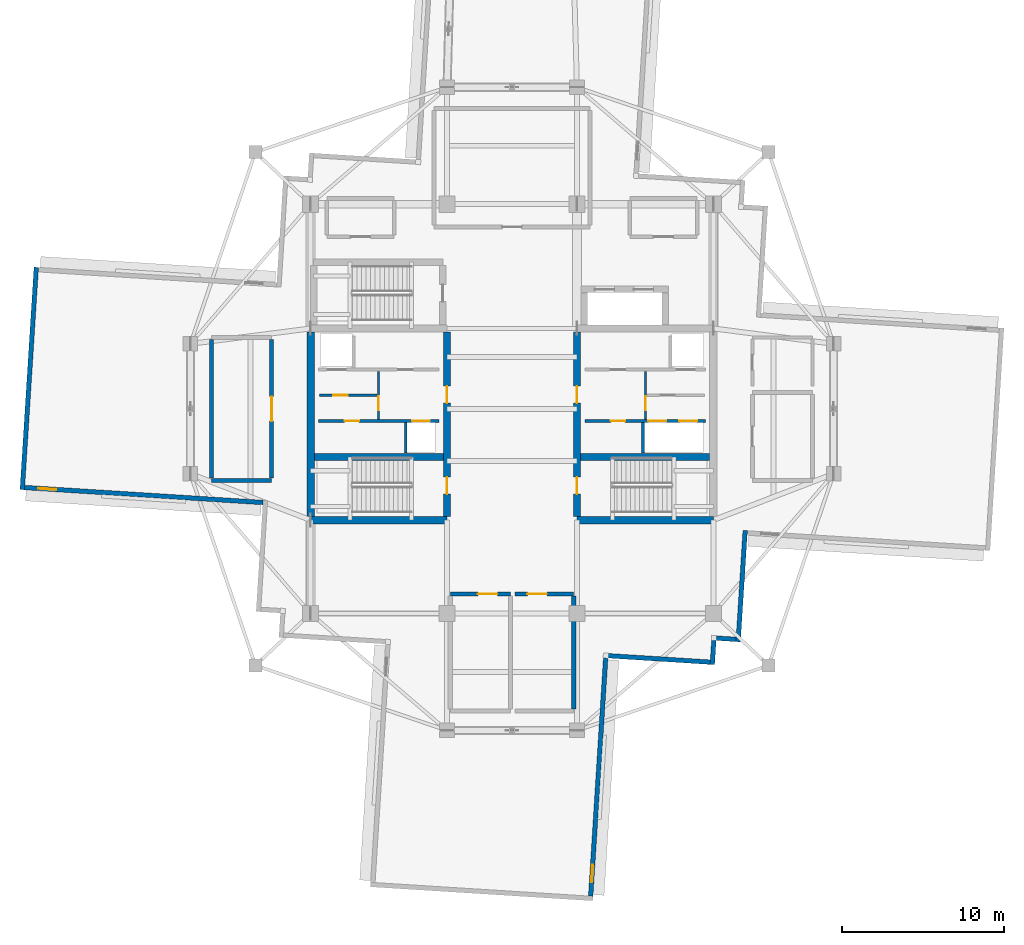
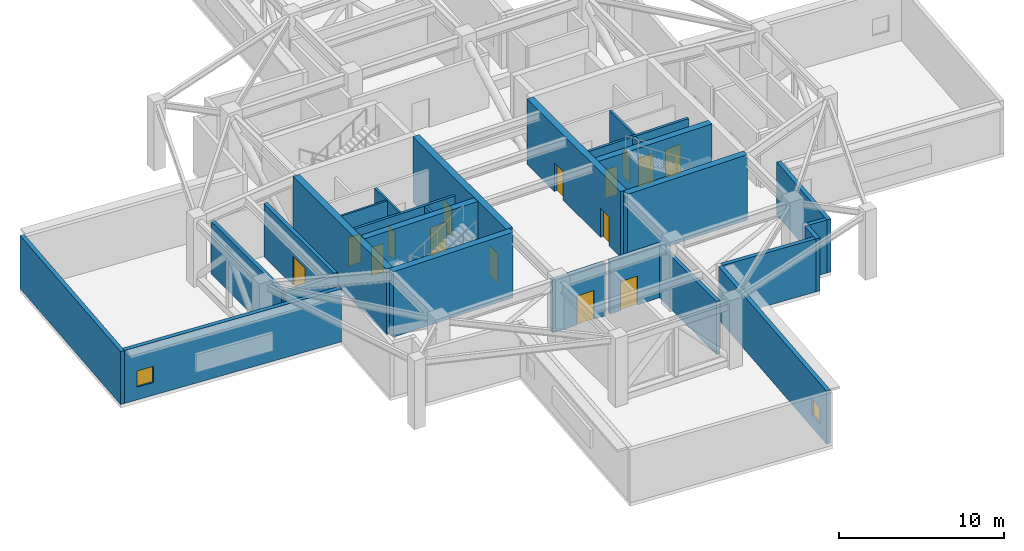
# One storey, part 8 of 14: 27 walls, 15 doors, 2 windows, 17 openings.
"""IFC4 building model written with IfcOpenShell, lengths in metres."""

from ifc_helpers import new_model, si_unit, direction, frame, frame_2d, origin, place, context, subcontext, project, spatial, rectangle, extrude, material, layer, layer_set, type_object, element, fill, save


model = new_model("IFC4")

# Units and contexts
model_context = context("Model", 3, precision=1e-05, world=origin(), true_north=direction((0.0, 1.0)))
body_context = subcontext(model_context, "Body", "Model", "MODEL_VIEW")
ifc_project = project(units=[si_unit("LENGTHUNIT", "METRE"), si_unit("AREAUNIT", "SQUARE_METRE"), si_unit("VOLUMEUNIT", "CUBIC_METRE"), si_unit("PLANEANGLEUNIT", "RADIAN"), si_unit("MASSUNIT", "GRAM", prefix="KILO")], contexts=[model_context])

# Site, building, storey
site_placement = place(None, origin())
site = spatial("IfcSite", under=ifc_project, at=site_placement, CompositionType="ELEMENT")
building_placement = place(site_placement, origin())
building = spatial("IfcBuilding", under=site, at=building_placement, Name="Qingluan Cross Belvedere", CompositionType="ELEMENT")
storey_placement = place(building_placement, frame((0.0, 0.0, 240.300048828125)))
storey = spatial("IfcBuildingStorey", under=building, at=storey_placement, Name="L60", CompositionType="ELEMENT", Elevation=240.300048828125)

# Walls
ifc_material_1 = material(Name="Concrete C50", Category="concrete")
ifc_layer_1 = layer(ifc_material_1, 0.449951171875, Name="CoreShearWall_450")
ifc_layer_set_1 = layer_set([ifc_layer_1], Name="Concrete C50")
wall_type_1 = type_object("IfcWallType", Name="CoreShearWall_450", PredefinedType="SHEAR", material=ifc_layer_set_1)
wall_1_placement = place(storey_placement, frame((-12.39990234375, -6.85009765625, 0.0), z_axis=(0.0, 0.0, 1.0), x_axis=(1.0, 0.0, 0.0)))
element("IfcWall", 1, at=wall_1_placement, inside=storey, type_object=wall_type_1, Name="Split core W shear wall L60-S", PredefinedType="SHEAR", context=body_context, shape_type="SweptSolid", body=[
    extrude(rectangle(XDim=8.39990234375, YDim=0.449951171875, at=frame_2d((4.199951171875, 0.0))), origin(), (0.0, 0.0, 1.0), 4.849853515625),
])
wall_2_placement = place(storey_placement, frame((-12.39990234375, -6.6201171875, 0.0), z_axis=(0.0, 0.0, 1.0), x_axis=(0.0, 1.0, 0.0)))
element("IfcWall", 2, at=wall_2_placement, inside=storey, type_object=wall_type_1, Name="Split core W shear wall L60-W", PredefinedType="SHEAR", context=body_context, shape_type="SweptSolid", body=[
    extrude(rectangle(XDim=11.340087890625, YDim=0.449951171875, at=frame_2d((5.669921875, 0.0))), origin(), (0.0, 0.0, 1.0), 4.849853515625),
])

# Wall, openings, doors
wall_3_placement = place(storey_placement, frame((-4.0, -6.6201171875, 0.0), z_axis=(0.0, 0.0, 1.0), x_axis=(0.0, 1.0, 0.0)))
wall_3 = element("IfcWall", 3, at=wall_3_placement, inside=storey, type_object=wall_type_1, Name="Split core W shear wall L60-E", PredefinedType="SHEAR", context=body_context, shape_type="SweptSolid", body=[
    extrude(rectangle(XDim=11.340087890625, YDim=0.449951171875, at=frame_2d((5.669921875, 0.0))), origin(), (0.0, 0.0, 1.0), 4.849853515625),
])
opening_1_placement = place(wall_3_placement, frame((1.3701171875, 0.0, 0.0)))
opening_1 = element("IfcOpeningElement", 4, at=opening_1_placement, cuts=wall_3, Name="Opening FD-B11", PredefinedType="OPENING", context=body_context, shape_type="SweptSolid", body=[
    extrude(rectangle(XDim=1.050048828125, YDim=2.14990234375, at=frame_2d((0.52490234375, 1.074951171875))), frame((0.0, 0.23486328125, 0.0), z_axis=(0.0, -1.0, 0.0), x_axis=(1.0, 0.0, 0.0)), (0.0, 0.0, 1.0), 0.469970703125),
])
opening_2_placement = place(wall_3_placement, frame((6.969970703125, 0.0, 0.0)))
opening_2 = element("IfcOpeningElement", 5, at=opening_2_placement, cuts=wall_3, Name="Opening FD-B11", PredefinedType="OPENING", context=body_context, shape_type="SweptSolid", body=[
    extrude(rectangle(XDim=1.050048828125, YDim=2.14990234375, at=frame_2d((0.52490234375, 1.074951171875))), frame((0.0, 0.23486328125, 0.0), z_axis=(0.0, -1.0, 0.0), x_axis=(1.0, 0.0, 0.0)), (0.0, 0.0, 1.0), 0.469970703125),
])
ifc_material_2 = material(Name="Steel Class B smoke-seal fire door", Category="steel")
door_type_1 = type_object("IfcDoorType", Name="StairLobbyFireDoor_FDB", OperationType="NOTDEFINED", PredefinedType="DOOR", material=ifc_material_2)
door_1_placement = place(opening_1_placement, origin())
door_1 = element("IfcDoor", 6, at=door_1_placement, inside=storey, type_object=door_type_1, Name="Smoke-proof stair ST1 fire door L60", OperationType="SINGLE_SWING_RIGHT", OverallHeight=2.14990234375, OverallWidth=1.050048828125, PredefinedType="DOOR", context=body_context, shape_type="SweptSolid", body=[
    extrude(rectangle(XDim=1.050048828125, YDim=2.14990234375, at=frame_2d((0.52490234375, 1.074951171875))), frame((0.0, 0.02490234375, 0.0), z_axis=(0.0, -1.0, 0.0), x_axis=(1.0, 0.0, 0.0)), (0.0, 0.0, 1.0), 0.050048828125),
])
fill(opening_1, door_1)
door_2_placement = place(opening_2_placement, origin())
door_2 = element("IfcDoor", 7, at=door_2_placement, inside=storey, type_object=door_type_1, Name="Firefighting lobby West fire door L60", OperationType="SINGLE_SWING_RIGHT", OverallHeight=2.14990234375, OverallWidth=1.050048828125, PredefinedType="DOOR", context=body_context, shape_type="SweptSolid", body=[
    extrude(rectangle(XDim=1.050048828125, YDim=2.14990234375, at=frame_2d((0.52490234375, 1.074951171875))), frame((0.0, 0.02490234375, 0.0), z_axis=(0.0, -1.0, 0.0), x_axis=(1.0, 0.0, 0.0)), (0.0, 0.0, 1.0), 0.050048828125),
])
fill(opening_2, door_2)

# Walls
wall_4_placement = place(storey_placement, frame((-12.169921875, -2.9599609375, 0.0), z_axis=(0.0, 0.0, 1.0), x_axis=(1.0, 0.0, 0.0)))
element("IfcWall", 8, at=wall_4_placement, inside=storey, type_object=wall_type_1, Name="Split core W shear wall L60-M", PredefinedType="SHEAR", context=body_context, shape_type="SweptSolid", body=[
    extrude(rectangle(XDim=7.93994140625, YDim=0.449951171875, at=frame_2d((3.969970703125, 0.0))), origin(), (0.0, 0.0, 1.0), 4.849853515625),
])
wall_5_placement = place(storey_placement, frame((4.0, -6.85009765625, 0.0), z_axis=(0.0, 0.0, 1.0), x_axis=(1.0, 0.0, 0.0)))
element("IfcWall", 9, at=wall_5_placement, inside=storey, type_object=wall_type_1, Name="Split core E shear wall L60-S", PredefinedType="SHEAR", context=body_context, shape_type="SweptSolid", body=[
    extrude(rectangle(XDim=8.39990234375, YDim=0.449951171875, at=frame_2d((4.199951171875, 0.0))), origin(), (0.0, 0.0, 1.0), 4.849853515625),
])

# Wall, openings, doors
wall_6_placement = place(storey_placement, frame((4.0, -6.6201171875, 0.0), z_axis=(0.0, 0.0, 1.0), x_axis=(0.0, 1.0, 0.0)))
wall_6 = element("IfcWall", 10, at=wall_6_placement, inside=storey, type_object=wall_type_1, Name="Split core E shear wall L60-W", PredefinedType="SHEAR", context=body_context, shape_type="SweptSolid", body=[
    extrude(rectangle(XDim=11.340087890625, YDim=0.449951171875, at=frame_2d((5.669921875, 0.0))), origin(), (0.0, 0.0, 1.0), 4.849853515625),
])
opening_3_placement = place(wall_6_placement, frame((1.3701171875, 0.0, 0.0)))
opening_3 = element("IfcOpeningElement", 11, at=opening_3_placement, cuts=wall_6, Name="Opening FD-B11", PredefinedType="OPENING", context=body_context, shape_type="SweptSolid", body=[
    extrude(rectangle(XDim=1.050048828125, YDim=2.14990234375, at=frame_2d((0.52490234375, 1.074951171875))), frame((0.0, 0.23486328125, 0.0), z_axis=(0.0, -1.0, 0.0), x_axis=(1.0, 0.0, 0.0)), (0.0, 0.0, 1.0), 0.469970703125),
])
opening_4_placement = place(wall_6_placement, frame((6.969970703125, 0.0, 0.0)))
opening_4 = element("IfcOpeningElement", 12, at=opening_4_placement, cuts=wall_6, Name="Opening FD-B11", PredefinedType="OPENING", context=body_context, shape_type="SweptSolid", body=[
    extrude(rectangle(XDim=1.050048828125, YDim=2.14990234375, at=frame_2d((0.52490234375, 1.074951171875))), frame((0.0, 0.23486328125, 0.0), z_axis=(0.0, -1.0, 0.0), x_axis=(1.0, 0.0, 0.0)), (0.0, 0.0, 1.0), 0.469970703125),
])
door_3_placement = place(opening_3_placement, origin())
door_3 = element("IfcDoor", 13, at=door_3_placement, inside=storey, type_object=door_type_1, Name="Smoke-proof stair ST2 fire door L60", OperationType="SINGLE_SWING_LEFT", OverallHeight=2.14990234375, OverallWidth=1.050048828125, PredefinedType="DOOR", context=body_context, shape_type="SweptSolid", body=[
    extrude(rectangle(XDim=1.050048828125, YDim=2.14990234375, at=frame_2d((0.52490234375, 1.074951171875))), frame((0.0, 0.02490234375, 0.0), z_axis=(0.0, -1.0, 0.0), x_axis=(1.0, 0.0, 0.0)), (0.0, 0.0, 1.0), 0.050048828125),
])
fill(opening_3, door_3)
door_4_placement = place(opening_4_placement, origin())
door_4 = element("IfcDoor", 14, at=door_4_placement, inside=storey, type_object=door_type_1, Name="Firefighting lobby East fire door L60", OperationType="SINGLE_SWING_LEFT", OverallHeight=2.14990234375, OverallWidth=1.050048828125, PredefinedType="DOOR", context=body_context, shape_type="SweptSolid", body=[
    extrude(rectangle(XDim=1.050048828125, YDim=2.14990234375, at=frame_2d((0.52490234375, 1.074951171875))), frame((0.0, 0.02490234375, 0.0), z_axis=(0.0, -1.0, 0.0), x_axis=(1.0, 0.0, 0.0)), (0.0, 0.0, 1.0), 0.050048828125),
])
fill(opening_4, door_4)

# Wall
wall_7_placement = place(storey_placement, frame((4.22998046875, -2.9599609375, 0.0), z_axis=(0.0, 0.0, 1.0), x_axis=(1.0, 0.0, 0.0)))
element("IfcWall", 15, at=wall_7_placement, inside=storey, type_object=wall_type_1, Name="Split core E shear wall L60-M", PredefinedType="SHEAR", context=body_context, shape_type="SweptSolid", body=[
    extrude(rectangle(XDim=7.93994140625, YDim=0.449951171875, at=frame_2d((3.969970703125, 0.0))), origin(), (0.0, 0.0, 1.0), 4.849853515625),
])

# Wall, opening, door
ifc_material_3 = material(Name="Gypsum plasterboard on steel stud acoustic partition", Category="steel")
ifc_layer_2 = layer(ifc_material_3, 0.159912109375, Name="CorridorPartition_160")
ifc_layer_set_2 = layer_set([ifc_layer_2], Name="Gypsum plasterboard on steel stud acoustic partition")
wall_type_2 = type_object("IfcWallType", Name="CorridorPartition_160", PredefinedType="PARTITIONING", material=ifc_layer_set_2)
wall_8_placement = place(storey_placement, frame((-11.85009765625, 0.830078125, 0.0), z_axis=(0.0, 0.0, 1.0), x_axis=(1.0, 0.0, 0.0)))
wall_8 = element("IfcWall", 16, at=wall_8_placement, inside=storey, type_object=wall_type_2, Name="Partition L60:w", PredefinedType="PARTITIONING", context=body_context, shape_type="SweptSolid", body=[
    extrude(rectangle(XDim=3.552001953125, YDim=0.139892578125, at=frame_2d((1.77587890625, 0.0))), origin(), (0.0, 0.0, 1.0), 3.919921875),
])
opening_5_placement = place(wall_8_placement, frame((0.85009765625, 0.0, 0.0)))
opening_5 = element("IfcOpeningElement", 17, at=opening_5_placement, cuts=wall_8, Name="Opening FD-B10", PredefinedType="OPENING", context=body_context, shape_type="SweptSolid", body=[
    extrude(rectangle(XDim=0.8798828125, YDim=2.10009765625, at=frame_2d((0.43994140625, 1.050048828125))), frame((0.0, 0.079833984375, 0.0), z_axis=(0.0, -1.0, 0.0), x_axis=(1.0, 0.0, 0.0)), (0.0, 0.0, 1.0), 0.159912109375),
])
ifc_material_4 = material(Name="Steel Class B service fire door", Category="steel")
door_type_2 = type_object("IfcDoorType", Name="RiserServiceFireDoor_FDB", OperationType="NOTDEFINED", PredefinedType="DOOR", material=ifc_material_4)
door_5_placement = place(opening_5_placement, origin())
door_5 = element("IfcDoor", 18, at=door_5_placement, inside=storey, type_object=door_type_2, Name="Service closet inner door L60", OperationType="SINGLE_SWING_LEFT", OverallHeight=2.10009765625, OverallWidth=0.8798828125, PredefinedType="DOOR", context=body_context, shape_type="SweptSolid", body=[
    extrude(rectangle(XDim=0.8798828125, YDim=2.10009765625, at=frame_2d((0.43994140625, 1.050048828125))), frame((0.0, 0.02490234375, 0.0), z_axis=(0.0, -1.0, 0.0), x_axis=(1.0, 0.0, 0.0)), (0.0, 0.0, 1.0), 0.050048828125),
])
fill(opening_5, door_5)

ifc_material_5 = material(Name="Concrete C40", Category="concrete")
ifc_layer_3 = layer(ifc_material_5, 0.300048828125, Name="FireCompartmentWall_300")
ifc_layer_set_3 = layer_set([ifc_layer_3], Name="Concrete C40")
wall_type_3 = type_object("IfcWallType", Name="FireCompartmentWall_300", PredefinedType="SOLIDWALL", material=ifc_layer_set_3)
wall_9_placement = place(storey_placement, frame((-3.800048828125, -11.39990234375, 0.0), z_axis=(0.0, 0.0, 1.0), x_axis=(1.0, 0.0, 0.0)))
wall_9 = element("IfcWall", 19, at=wall_9_placement, inside=storey, type_object=wall_type_3, Name="Partition L60:refuge_s1:N", PredefinedType="SOLIDWALL", context=body_context, shape_type="SweptSolid", body=[
    extrude(rectangle(XDim=3.699951171875, YDim=0.25, at=frame_2d((1.85009765625, 0.0))), origin(), (0.0, 0.0, 1.0), 3.919921875),
])
opening_6_placement = place(wall_9_placement, frame((1.699951171875, 0.0, 0.0)))
opening_6 = element("IfcOpeningElement", 20, at=opening_6_placement, cuts=wall_9, Name="Opening FD-A12", PredefinedType="OPENING", context=body_context, shape_type="SweptSolid", body=[
    extrude(rectangle(XDim=1.199951171875, YDim=2.14990234375, at=frame_2d((0.60009765625, 1.074951171875))), frame((0.0, 0.135009765625, 0.0), z_axis=(0.0, -1.0, 0.0), x_axis=(1.0, 0.0, 0.0)), (0.0, 0.0, 1.0), 0.27001953125),
])
ifc_material_6 = material(Name="Insulated steel Class A fire door", Category="steel")
door_type_3 = type_object("IfcDoorType", Name="RefugeCompartmentDoor_FDA", OperationType="NOTDEFINED", PredefinedType="DOOR", material=ifc_material_6)
door_6_placement = place(opening_6_placement, origin())
door_6 = element("IfcDoor", 21, at=door_6_placement, inside=storey, type_object=door_type_3, Name="Fire refuge area South-West L60 door", OperationType="SINGLE_SWING_LEFT", OverallHeight=2.14990234375, OverallWidth=1.199951171875, PredefinedType="DOOR", context=body_context, shape_type="SweptSolid", body=[
    extrude(rectangle(XDim=1.199951171875, YDim=2.14990234375, at=frame_2d((0.60009765625, 1.074951171875))), frame((0.0, 0.02490234375, 0.0), z_axis=(0.0, -1.0, 0.0), x_axis=(1.0, 0.0, 0.0)), (0.0, 0.0, 1.0), 0.050048828125),
])
fill(opening_6, door_6)

wall_10_placement = place(storey_placement, frame((0.199951171875, -11.39990234375, 0.0), z_axis=(0.0, 0.0, 1.0), x_axis=(1.0, 0.0, 0.0)))
wall_10 = element("IfcWall", 22, at=wall_10_placement, inside=storey, type_object=wall_type_3, Name="Partition L60:refuge_s2:N", PredefinedType="SOLIDWALL", context=body_context, shape_type="SweptSolid", body=[
    extrude(rectangle(XDim=3.60009765625, YDim=0.25, at=frame_2d((1.800048828125, 0.0))), origin(), (0.0, 0.0, 1.0), 3.919921875),
])
opening_7_placement = place(wall_10_placement, frame((0.75, 0.0, 0.0)))
opening_7 = element("IfcOpeningElement", 23, at=opening_7_placement, cuts=wall_10, Name="Opening FD-A12", PredefinedType="OPENING", context=body_context, shape_type="SweptSolid", body=[
    extrude(rectangle(XDim=1.199951171875, YDim=2.14990234375, at=frame_2d((0.60009765625, 1.074951171875))), frame((0.0, 0.135009765625, 0.0), z_axis=(0.0, -1.0, 0.0), x_axis=(1.0, 0.0, 0.0)), (0.0, 0.0, 1.0), 0.27001953125),
])
door_7_placement = place(opening_7_placement, origin())
door_7 = element("IfcDoor", 24, at=door_7_placement, inside=storey, type_object=door_type_3, Name="Fire refuge area South-East L60 door", OperationType="SINGLE_SWING_RIGHT", OverallHeight=2.14990234375, OverallWidth=1.199951171875, PredefinedType="DOOR", context=body_context, shape_type="SweptSolid", body=[
    extrude(rectangle(XDim=1.199951171875, YDim=2.14990234375, at=frame_2d((0.60009765625, 1.074951171875))), frame((0.0, 0.02490234375, 0.0), z_axis=(0.0, -1.0, 0.0), x_axis=(1.0, 0.0, 0.0)), (0.0, 0.0, 1.0), 0.050048828125),
])
fill(opening_7, door_7)

# Walls
wall_11_placement = place(storey_placement, frame((3.800048828125, -18.469970703125, 0.0), z_axis=(0.0, 0.0, 1.0), x_axis=(0.0, 1.0, 0.0)))
element("IfcWall", 25, at=wall_11_placement, inside=storey, type_object=wall_type_3, Name="Partition L60:refuge_s2:E", PredefinedType="SOLIDWALL", context=body_context, shape_type="SweptSolid", body=[
    extrude(rectangle(XDim=6.93994140625, YDim=0.25, at=frame_2d((3.469970703125, 0.0))), origin(), (0.0, 0.0, 1.0), 3.919921875),
])
wall_12_placement = place(storey_placement, frame((-18.5, -4.39990234375, 0.0), z_axis=(0.0, 0.0, 1.0), x_axis=(1.0, 0.0, 0.0)))
element("IfcWall", 26, at=wall_12_placement, inside=storey, type_object=wall_type_3, Name="Partition L60:hx_plant:S", PredefinedType="SOLIDWALL", context=body_context, shape_type="SweptSolid", body=[
    extrude(rectangle(XDim=3.699951171875, YDim=0.25, at=frame_2d((1.85009765625, 0.0))), origin(), (0.0, 0.0, 1.0), 3.919921875),
])
wall_13_placement = place(storey_placement, frame((-18.5, -4.27001953125, 0.0), z_axis=(0.0, 0.0, 1.0), x_axis=(0.0, 1.0, 0.0)))
element("IfcWall", 27, at=wall_13_placement, inside=storey, type_object=wall_type_3, Name="Partition L60:hx_plant:W", PredefinedType="SOLIDWALL", context=body_context, shape_type="SweptSolid", body=[
    extrude(rectangle(XDim=8.5400390625, YDim=0.25, at=frame_2d((4.27001953125, 0.0))), origin(), (0.0, 0.0, 1.0), 3.919921875),
])

# Wall, opening, door
wall_14_placement = place(storey_placement, frame((-14.800048828125, -4.27001953125, 0.0), z_axis=(0.0, 0.0, 1.0), x_axis=(0.0, 1.0, 0.0)))
wall_14 = element("IfcWall", 28, at=wall_14_placement, inside=storey, type_object=wall_type_3, Name="Partition L60:hx_plant:E", PredefinedType="SOLIDWALL", context=body_context, shape_type="SweptSolid", body=[
    extrude(rectangle(XDim=8.5400390625, YDim=0.25, at=frame_2d((4.27001953125, 0.0))), origin(), (0.0, 0.0, 1.0), 3.919921875),
])
opening_8_placement = place(wall_14_placement, frame((3.52001953125, 0.0, 0.0)))
opening_8 = element("IfcOpeningElement", 29, at=opening_8_placement, cuts=wall_14, Name="Opening FD-A15", PredefinedType="OPENING", context=body_context, shape_type="SweptSolid", body=[
    extrude(rectangle(XDim=1.5, YDim=2.14990234375, at=frame_2d((0.75, 1.074951171875))), frame((0.0, 0.135009765625, 0.0), z_axis=(0.0, -1.0, 0.0), x_axis=(1.0, 0.0, 0.0)), (0.0, 0.0, 1.0), 0.27001953125),
])
ifc_material_7 = material(Name="Insulated steel Class A double fire door", Category="steel")
door_type_4 = type_object("IfcDoorType", Name="PlantDoubleFireDoor_FDA", OperationType="DOUBLE_DOOR_SINGLE_SWING", PredefinedType="DOOR", material=ifc_material_7)
door_8_placement = place(opening_8_placement, origin())
door_8 = element("IfcDoor", 30, at=door_8_placement, inside=storey, type_object=door_type_4, Name="High-zone plate heat-exchanger plant L60 door", OperationType="DOUBLE_DOOR_SINGLE_SWING", OverallHeight=2.14990234375, OverallWidth=1.5, PredefinedType="DOOR", context=body_context, shape_type="SweptSolid", body=[
    extrude(rectangle(XDim=1.5, YDim=2.14990234375, at=frame_2d((0.75, 1.074951171875))), frame((0.0, 0.02490234375, 0.0), z_axis=(0.0, -1.0, 0.0), x_axis=(1.0, 0.0, 0.0)), (0.0, 0.0, 1.0), 0.050048828125),
])
fill(opening_8, door_8)

# Wall, opening, window
ifc_material_8 = material(Name="Precast concrete C45", Category="concrete")
ifc_layer_4 = layer(ifc_material_8, 0.280029296875, Name="PrecastFacadeWall_280")
ifc_layer_set_4 = layer_set([ifc_layer_4], Name="Precast concrete C45")
wall_type_4 = type_object("IfcWallType", Name="PrecastFacadeWall_280", PredefinedType="STANDARD", material=ifc_layer_set_4)
wall_15_placement = place(storey_placement, frame((-30.00341796875, -4.845703125, 0.0), z_axis=(0.0, 0.0, 1.0), x_axis=(0.998027423805, -0.062779465852, 0.0)))
wall_15 = element("IfcWall", 31, at=wall_15_placement, inside=storey, type_object=wall_type_4, Name="Facade wall L60-WB", PredefinedType="STANDARD", context=body_context, shape_type="SweptSolid", body=[
    extrude(rectangle(XDim=14.699951171875, YDim=0.280029296875, at=frame_2d((7.35009765625, 0.0))), origin(), (0.0, 0.0, 1.0), 3.929931640625),
])
opening_9_placement = place(wall_15_placement, frame((0.85009765625, 0.0, 0.949951171875)))
opening_9 = element("IfcOpeningElement", 32, at=opening_9_placement, cuts=wall_15, Name="Opening W-07", PredefinedType="OPENING", context=body_context, shape_type="SweptSolid", body=[
    extrude(rectangle(XDim=1.10009765625, YDim=1.199951171875, at=frame_2d((0.550048828125, 0.60009765625))), frame((0.0, 0.14990234375, 0.0), z_axis=(0.0, -1.0, 0.0), x_axis=(1.0, 0.0, 0.0)), (0.0, 0.0, 1.0), 0.300048828125),
])
ifc_material_9 = material(Name="Thermally broken triple Low-E glass in aluminium frame", Category="aluminium")
window_type = type_object("IfcWindowType", Name="RefugeSmokeWin_1100x1200", PartitioningType="SINGLE_PANEL", PredefinedType="WINDOW", material=ifc_material_9)
window_1_placement = place(opening_9_placement, origin())
window_1 = element("IfcWindow", 33, at=window_1_placement, inside=storey, type_object=window_type, Name="Refuge operable smoke window L60-WB", OverallHeight=1.199951171875, OverallWidth=1.10009765625, PartitioningType="SINGLE_PANEL", PredefinedType="WINDOW", context=body_context, shape_type="SweptSolid", body=[
    extrude(rectangle(XDim=1.10009765625, YDim=1.199951171875, at=frame_2d((0.550048828125, 0.60009765625))), frame((0.0, 0.030029296875, 0.0), z_axis=(0.0, -1.0, 0.0), x_axis=(1.0, 0.0, 0.0)), (0.0, 0.0, 1.0), 0.06005859375),
])
fill(opening_9, window_1)

# Wall
wall_16_placement = place(storey_placement, frame((-29.29052734375, 8.71630859375, 0.0), z_axis=(0.0, 0.0, 1.0), x_axis=(-0.062797041623, -0.998026318072, 0.0)))
element("IfcWall", 34, at=wall_16_placement, inside=storey, type_object=wall_type_4, Name="Arm tip precast facade wall L60-W", PredefinedType="STANDARD", context=body_context, shape_type="SweptSolid", body=[
    extrude(rectangle(XDim=13.719970703125, YDim=0.280029296875, at=frame_2d((6.85986328125, 0.0))), origin(), (0.0, 0.0, 1.0), 3.929931640625),
])

# Wall, opening, window
wall_17_placement = place(storey_placement, frame((4.845703125, -30.00341796875, 0.0), z_axis=(0.0, 0.0, 1.0), x_axis=(0.062779465852, 0.998027423805, 0.0)))
wall_17 = element("IfcWall", 35, at=wall_17_placement, inside=storey, type_object=wall_type_4, Name="Facade wall L60-SB", PredefinedType="STANDARD", context=body_context, shape_type="SweptSolid", body=[
    extrude(rectangle(XDim=14.699951171875, YDim=0.280029296875, at=frame_2d((7.35009765625, 0.0))), origin(), (0.0, 0.0, 1.0), 3.929931640625),
])
opening_10_placement = place(wall_17_placement, frame((0.85009765625, 0.0, 0.949951171875)))
opening_10 = element("IfcOpeningElement", 36, at=opening_10_placement, cuts=wall_17, Name="Opening W-07", PredefinedType="OPENING", context=body_context, shape_type="SweptSolid", body=[
    extrude(rectangle(XDim=1.10009765625, YDim=1.199951171875, at=frame_2d((0.550048828125, 0.60009765625))), frame((0.0, 0.14990234375, 0.0), z_axis=(0.0, -1.0, 0.0), x_axis=(1.0, 0.0, 0.0)), (0.0, 0.0, 1.0), 0.300048828125),
])
window_2_placement = place(opening_10_placement, origin())
window_2 = element("IfcWindow", 37, at=window_2_placement, inside=storey, type_object=window_type, Name="Refuge operable smoke window L60-SB", OverallHeight=1.199951171875, OverallWidth=1.10009765625, PartitioningType="SINGLE_PANEL", PredefinedType="WINDOW", context=body_context, shape_type="SweptSolid", body=[
    extrude(rectangle(XDim=1.10009765625, YDim=1.199951171875, at=frame_2d((0.550048828125, 0.60009765625))), frame((0.0, 0.030029296875, 0.0), z_axis=(0.0, -1.0, 0.0), x_axis=(1.0, 0.0, 0.0)), (0.0, 0.0, 1.0), 0.06005859375),
])
fill(opening_10, window_2)

# Walls
wall_18_placement = place(storey_placement, frame((14.357666015625, -7.496337890625, 0.0), z_axis=(0.0, 0.0, 1.0), x_axis=(-0.062779317195, -0.998027433156, 0.0)))
element("IfcWall", 38, at=wall_18_placement, inside=storey, type_object=wall_type_4, Name="Corner wall L60-SE1", PredefinedType="STANDARD", context=body_context, shape_type="SweptSolid", body=[
    extrude(rectangle(XDim=6.85986328125, YDim=0.280029296875, at=frame_2d((3.429931640625, 0.0))), origin(), (0.0, 0.0, 1.0), 3.929931640625),
])
wall_19_placement = place(storey_placement, frame((13.7958984375, -14.1943359375, 0.0), z_axis=(0.0, 0.0, 1.0), x_axis=(-0.998023660242, 0.06283926796, 0.0)))
element("IfcWall", 39, at=wall_19_placement, inside=storey, type_object=wall_type_4, Name="Corner wall L60-SE2", PredefinedType="STANDARD", context=body_context, shape_type="SweptSolid", body=[
    extrude(rectangle(XDim=1.219970703125, YDim=0.280029296875, at=frame_2d((0.60986328125, 0.0))), origin(), (0.0, 0.0, 1.0), 3.929931640625),
])
wall_20_placement = place(storey_placement, frame((12.429931640625, -14.24853515625, 0.0), z_axis=(0.0, 0.0, 1.0), x_axis=(-0.062824119533, -0.998024613927, 0.0)))
element("IfcWall", 40, at=wall_20_placement, inside=storey, type_object=wall_type_4, Name="Corner wall L60-SE3", PredefinedType="STANDARD", context=body_context, shape_type="SweptSolid", body=[
    extrude(rectangle(XDim=1.5, YDim=0.280029296875, at=frame_2d((0.75, 0.0))), origin(), (0.0, 0.0, 1.0), 3.929931640625),
])
wall_21_placement = place(storey_placement, frame((12.20458984375, -15.59716796875, 0.0), z_axis=(0.0, 0.0, 1.0), x_axis=(-0.998024885752, 0.062819801181, 0.0)))
element("IfcWall", 41, at=wall_21_placement, inside=storey, type_object=wall_type_4, Name="Corner wall L60-SE4", PredefinedType="STANDARD", context=body_context, shape_type="SweptSolid", body=[
    extrude(rectangle(XDim=6.2998046875, YDim=0.280029296875, at=frame_2d((3.14990234375, 0.0))), origin(), (0.0, 0.0, 1.0), 3.929931640625),
])

# Wall, openings, doors
ifc_material_10 = material(Name="Concrete C40", Category="concrete")
ifc_layer_5 = layer(ifc_material_10, 0.219970703125, Name="ShaftEnclosureWall_250")
ifc_layer_set_5 = layer_set([ifc_layer_5], Name="Concrete C40")
wall_type_5 = type_object("IfcWallType", Name="ShaftEnclosureWall_250", PredefinedType="SOLIDWALL", material=ifc_layer_set_5)
wall_22_placement = place(storey_placement, frame((-11.89990234375, -0.75, 0.0), z_axis=(0.0, 0.0, 1.0), x_axis=(1.0, 0.0, 0.0)))
wall_22 = element("IfcWall", 42, at=wall_22_placement, inside=storey, type_object=wall_type_5, Name="Core-W mid hoistway wall L60", PredefinedType="SOLIDWALL", context=body_context, shape_type="SweptSolid", body=[
    extrude(rectangle(XDim=7.419921875, YDim=0.179931640625, at=frame_2d((3.7099609375, 0.0))), origin(), (0.0, 0.0, 1.0), 3.919921875),
])
opening_11_placement = place(wall_22_placement, frame((5.75, 0.0, 0.0)))
opening_11 = element("IfcOpeningElement", 43, at=opening_11_placement, cuts=wall_22, Name="Opening LD-11", PredefinedType="OPENING", context=body_context, shape_type="SweptSolid", body=[
    extrude(rectangle(XDim=1.10009765625, YDim=2.14990234375, at=frame_2d((0.550048828125, 1.074951171875))), frame((0.0, 0.099853515625, 0.0), z_axis=(0.0, -1.0, 0.0), x_axis=(1.0, 0.0, 0.0)), (0.0, 0.0, 1.0), 0.199951171875),
])
opening_12_placement = place(wall_22_placement, frame((1.60009765625, 0.0, 0.0)))
opening_12 = element("IfcOpeningElement", 44, at=opening_12_placement, cuts=wall_22, Name="Opening FD-B10", PredefinedType="OPENING", context=body_context, shape_type="SweptSolid", body=[
    extrude(rectangle(XDim=0.8798828125, YDim=2.10009765625, at=frame_2d((0.43994140625, 1.050048828125))), frame((0.0, 0.099853515625, 0.0), z_axis=(0.0, -1.0, 0.0), x_axis=(1.0, 0.0, 0.0)), (0.0, 0.0, 1.0), 0.199951171875),
])
ifc_material_11 = material(Name="Brushed stainless steel centre-opening lift landing door", Category="steel")
door_type_5 = type_object("IfcDoorType", Name="LiftLandingSlidingDoor_1100", OperationType="DOUBLE_DOOR_SLIDING", PredefinedType="DOOR", material=ifc_material_11)
door_9_placement = place(opening_11_placement, origin())
door_9 = element("IfcDoor", 45, at=door_9_placement, inside=storey, type_object=door_type_5, Name="Lift landing sliding door LP8 L60", OperationType="DOUBLE_DOOR_SLIDING", OverallHeight=2.14990234375, OverallWidth=1.10009765625, PredefinedType="DOOR", context=body_context, shape_type="SweptSolid", body=[
    extrude(rectangle(XDim=1.10009765625, YDim=2.14990234375, at=frame_2d((0.550048828125, 1.074951171875))), frame((0.0, 0.02490234375, 0.0), z_axis=(0.0, -1.0, 0.0), x_axis=(1.0, 0.0, 0.0)), (0.0, 0.0, 1.0), 0.050048828125),
])
fill(opening_11, door_9)
door_10_placement = place(opening_12_placement, origin())
door_10 = element("IfcDoor", 46, at=door_10_placement, inside=storey, type_object=door_type_2, Name="Upper-zone electrical room door L60", OperationType="SINGLE_SWING_LEFT", OverallHeight=2.10009765625, OverallWidth=0.8798828125, PredefinedType="DOOR", context=body_context, shape_type="SweptSolid", body=[
    extrude(rectangle(XDim=0.8798828125, YDim=2.10009765625, at=frame_2d((0.43994140625, 1.050048828125))), frame((0.0, 0.02490234375, 0.0), z_axis=(0.0, -1.0, 0.0), x_axis=(1.0, 0.0, 0.0)), (0.0, 0.0, 1.0), 0.050048828125),
])
fill(opening_12, door_10)

wall_23_placement = place(storey_placement, frame((4.47998046875, -0.75, 0.0), z_axis=(0.0, 0.0, 1.0), x_axis=(1.0, 0.0, 0.0)))
wall_23 = element("IfcWall", 47, at=wall_23_placement, inside=storey, type_object=wall_type_5, Name="Core-E mid hoistway wall L60", PredefinedType="SOLIDWALL", context=body_context, shape_type="SweptSolid", body=[
    extrude(rectangle(XDim=7.419921875, YDim=0.179931640625, at=frame_2d((3.7099609375, 0.0))), origin(), (0.0, 0.0, 1.0), 3.919921875),
])
opening_13_placement = place(wall_23_placement, frame((3.919921875, 0.0, 0.0)))
opening_13 = element("IfcOpeningElement", 48, at=opening_13_placement, cuts=wall_23, Name="Opening LD-11", PredefinedType="OPENING", context=body_context, shape_type="SweptSolid", body=[
    extrude(rectangle(XDim=1.10009765625, YDim=2.14990234375, at=frame_2d((0.550048828125, 1.074951171875))), frame((0.0, 0.099853515625, 0.0), z_axis=(0.0, -1.0, 0.0), x_axis=(1.0, 0.0, 0.0)), (0.0, 0.0, 1.0), 0.199951171875),
])
opening_14_placement = place(wall_23_placement, frame((5.820068359375, 0.0, 0.0)))
opening_14 = element("IfcOpeningElement", 49, at=opening_14_placement, cuts=wall_23, Name="Opening LD-11", PredefinedType="OPENING", context=body_context, shape_type="SweptSolid", body=[
    extrude(rectangle(XDim=1.10009765625, YDim=2.14990234375, at=frame_2d((0.550048828125, 1.074951171875))), frame((0.0, 0.099853515625, 0.0), z_axis=(0.0, -1.0, 0.0), x_axis=(1.0, 0.0, 0.0)), (0.0, 0.0, 1.0), 0.199951171875),
])
opening_15_placement = place(wall_23_placement, frame((1.60009765625, 0.0, 0.0)))
opening_15 = element("IfcOpeningElement", 50, at=opening_15_placement, cuts=wall_23, Name="Opening FD-B10", PredefinedType="OPENING", context=body_context, shape_type="SweptSolid", body=[
    extrude(rectangle(XDim=0.8798828125, YDim=2.10009765625, at=frame_2d((0.43994140625, 1.050048828125))), frame((0.0, 0.099853515625, 0.0), z_axis=(0.0, -1.0, 0.0), x_axis=(1.0, 0.0, 0.0)), (0.0, 0.0, 1.0), 0.199951171875),
])
door_11_placement = place(opening_13_placement, origin())
door_11 = element("IfcDoor", 51, at=door_11_placement, inside=storey, type_object=door_type_5, Name="Lift landing sliding door LP9 L60", OperationType="DOUBLE_DOOR_SLIDING", OverallHeight=2.14990234375, OverallWidth=1.10009765625, PredefinedType="DOOR", context=body_context, shape_type="SweptSolid", body=[
    extrude(rectangle(XDim=1.10009765625, YDim=2.14990234375, at=frame_2d((0.550048828125, 1.074951171875))), frame((0.0, 0.02490234375, 0.0), z_axis=(0.0, -1.0, 0.0), x_axis=(1.0, 0.0, 0.0)), (0.0, 0.0, 1.0), 0.050048828125),
])
fill(opening_13, door_11)
door_12_placement = place(opening_14_placement, origin())
door_12 = element("IfcDoor", 52, at=door_12_placement, inside=storey, type_object=door_type_5, Name="Lift landing sliding door LP10 L60", OperationType="DOUBLE_DOOR_SLIDING", OverallHeight=2.14990234375, OverallWidth=1.10009765625, PredefinedType="DOOR", context=body_context, shape_type="SweptSolid", body=[
    extrude(rectangle(XDim=1.10009765625, YDim=2.14990234375, at=frame_2d((0.550048828125, 1.074951171875))), frame((0.0, 0.02490234375, 0.0), z_axis=(0.0, -1.0, 0.0), x_axis=(1.0, 0.0, 0.0)), (0.0, 0.0, 1.0), 0.050048828125),
])
fill(opening_14, door_12)
door_13_placement = place(opening_15_placement, origin())
door_13 = element("IfcDoor", 53, at=door_13_placement, inside=storey, type_object=door_type_2, Name="Upper-zone linen store door L60", OperationType="SINGLE_SWING_RIGHT", OverallHeight=2.10009765625, OverallWidth=0.8798828125, PredefinedType="DOOR", context=body_context, shape_type="SweptSolid", body=[
    extrude(rectangle(XDim=0.8798828125, YDim=2.10009765625, at=frame_2d((0.43994140625, 1.050048828125))), frame((0.0, 0.02490234375, 0.0), z_axis=(0.0, -1.0, 0.0), x_axis=(1.0, 0.0, 0.0)), (0.0, 0.0, 1.0), 0.050048828125),
])
fill(opening_15, door_13)

# Walls
for number, where, z_axis, x_axis, name in (
    (54, (-6.5400390625, -2.72998046875, 0.0), (0.0, 0.0, 1.0), (0.0, 1.0, 0.0), "Hoistway enclosure divider LP8W L60"),
    (55, (8.06005859375, -2.72998046875, 0.0), (0.0, 0.0, 1.0), (0.0, 1.0, 0.0), "Hoistway enclosure divider LP9W L60"),
):
    element("IfcWall", number, at=place(storey_placement, frame(where, z_axis=z_axis, x_axis=x_axis)), inside=storey, type_object=wall_type_5, Name=name, PredefinedType="SOLIDWALL", context=body_context, shape_type="SweptSolid", body=[
        extrude(rectangle(XDim=1.889892578125, YDim=0.179931640625, at=frame_2d((0.94482421875, 0.0))), origin(), (0.0, 0.0, 1.0), 3.919921875),
    ])

# Wall, opening, door
wall_24_placement = place(storey_placement, frame((-8.219970703125, -0.64990234375, 0.0), z_axis=(0.0, 0.0, 1.0), x_axis=(0.0, 1.0, 0.0)))
wall_24 = element("IfcWall", 56, at=wall_24_placement, inside=storey, type_object=wall_type_5, Name="Core-W service corridor wall L60", PredefinedType="SOLIDWALL", context=body_context, shape_type="SweptSolid", body=[
    extrude(rectangle(XDim=2.9599609375, YDim=0.139892578125, at=frame_2d((1.47998046875, 0.0))), origin(), (0.0, 0.0, 1.0), 3.919921875),
])
opening_16_placement = place(wall_24_placement, frame((0.550048828125, 0.0, 0.0)))
opening_16 = element("IfcOpeningElement", 57, at=opening_16_placement, cuts=wall_24, Name="Opening FD-B10", PredefinedType="OPENING", context=body_context, shape_type="SweptSolid", body=[
    extrude(rectangle(XDim=0.8798828125, YDim=2.10009765625, at=frame_2d((0.43994140625, 1.050048828125))), frame((0.0, 0.079833984375, 0.0), z_axis=(0.0, -1.0, 0.0), x_axis=(1.0, 0.0, 0.0)), (0.0, 0.0, 1.0), 0.159912109375),
])
door_14_placement = place(opening_16_placement, origin())
door_14 = element("IfcDoor", 58, at=door_14_placement, inside=storey, type_object=door_type_2, Name="Core-W service room door L60", OperationType="SINGLE_SWING_LEFT", OverallHeight=2.10009765625, OverallWidth=0.8798828125, PredefinedType="DOOR", context=body_context, shape_type="SweptSolid", body=[
    extrude(rectangle(XDim=0.8798828125, YDim=2.10009765625, at=frame_2d((0.43994140625, 1.050048828125))), frame((0.0, 0.02490234375, 0.0), z_axis=(0.0, -1.0, 0.0), x_axis=(1.0, 0.0, 0.0)), (0.0, 0.0, 1.0), 0.050048828125),
])
fill(opening_16, door_14)

wall_25_placement = place(storey_placement, frame((8.219970703125, -0.64990234375, 0.0), z_axis=(0.0, 0.0, 1.0), x_axis=(0.0, 1.0, 0.0)))
wall_25 = element("IfcWall", 59, at=wall_25_placement, inside=storey, type_object=wall_type_5, Name="Core-E service corridor wall L60", PredefinedType="SOLIDWALL", context=body_context, shape_type="SweptSolid", body=[
    extrude(rectangle(XDim=2.9599609375, YDim=0.139892578125, at=frame_2d((1.47998046875, 0.0))), origin(), (0.0, 0.0, 1.0), 3.919921875),
])
opening_17_placement = place(wall_25_placement, frame((0.550048828125, 0.0, 0.0)))
opening_17 = element("IfcOpeningElement", 60, at=opening_17_placement, cuts=wall_25, Name="Opening FD-B10", PredefinedType="OPENING", context=body_context, shape_type="SweptSolid", body=[
    extrude(rectangle(XDim=0.8798828125, YDim=2.10009765625, at=frame_2d((0.43994140625, 1.050048828125))), frame((0.0, 0.079833984375, 0.0), z_axis=(0.0, -1.0, 0.0), x_axis=(1.0, 0.0, 0.0)), (0.0, 0.0, 1.0), 0.159912109375),
])
door_15_placement = place(opening_17_placement, origin())
door_15 = element("IfcDoor", 61, at=door_15_placement, inside=storey, type_object=door_type_2, Name="Core-E service room door L60", OperationType="SINGLE_SWING_RIGHT", OverallHeight=2.10009765625, OverallWidth=0.8798828125, PredefinedType="DOOR", context=body_context, shape_type="SweptSolid", body=[
    extrude(rectangle(XDim=0.8798828125, YDim=2.10009765625, at=frame_2d((0.43994140625, 1.050048828125))), frame((0.0, 0.02490234375, 0.0), z_axis=(0.0, -1.0, 0.0), x_axis=(1.0, 0.0, 0.0)), (0.0, 0.0, 1.0), 0.050048828125),
])
fill(opening_17, door_15)

save(model, "model.ifc")
